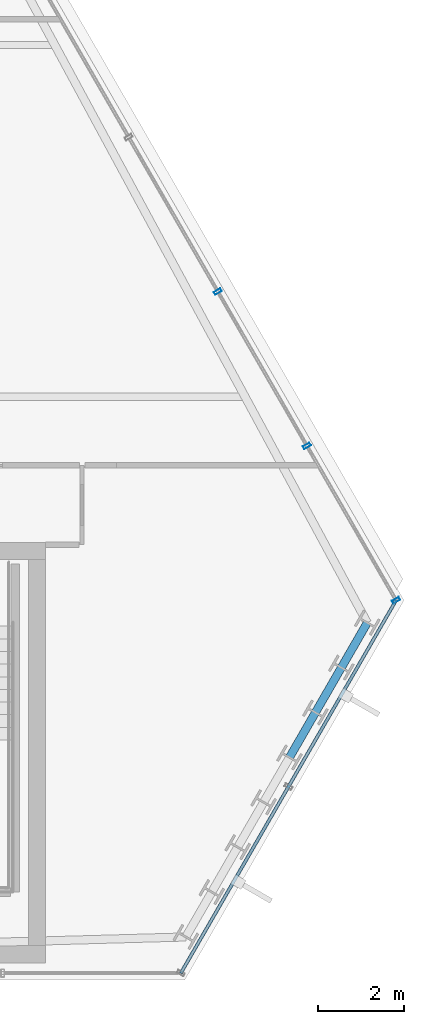
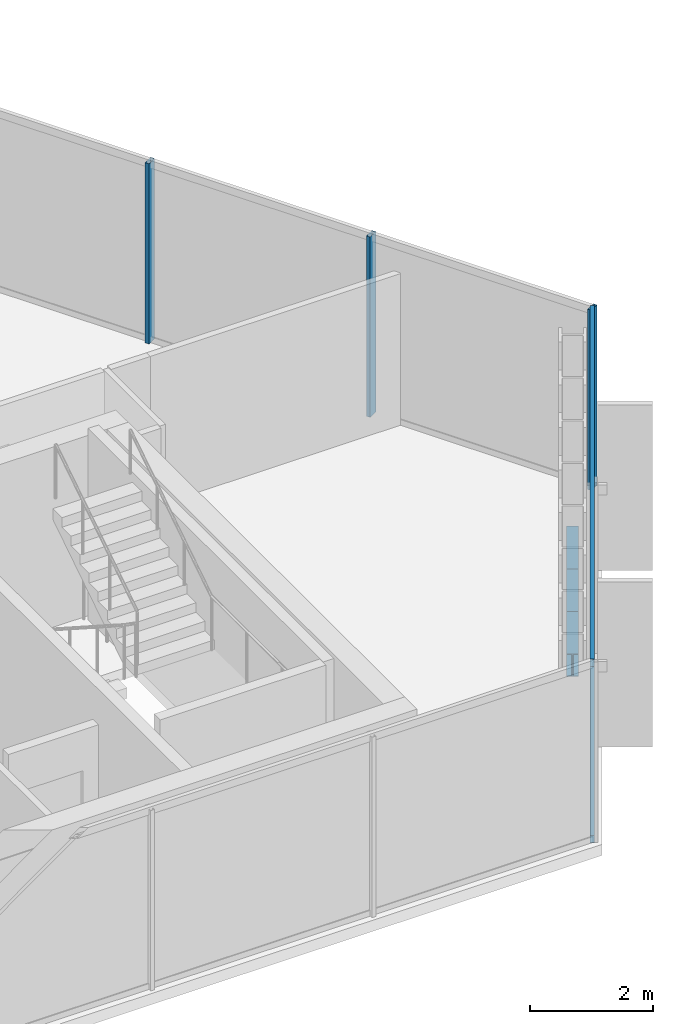
# One storey, part 16 of 35: 5 members, 3 beams, 2 elements without a shape of their own.
"""IFC4 building model written with IfcOpenShell, lengths in metres."""

from ifc_helpers import new_model, si_unit, direction, frame, origin, origin_2d, place, context, subcontext, project, spatial, hollow_rectangle, i_section, extrude, material, layer, layer_set, material_profile, profile_set, type_object, element, aggregate, save


model = new_model("IFC4")

# Units and contexts
model_context = context("Model", 3, precision=1e-05, world=origin(), true_north=direction((0.0, 1.0)))
body_context = subcontext(model_context, "Body", "Model", "MODEL_VIEW")
ifc_project = project(units=[si_unit("LENGTHUNIT", "METRE"), si_unit("AREAUNIT", "SQUARE_METRE"), si_unit("VOLUMEUNIT", "CUBIC_METRE"), si_unit("PLANEANGLEUNIT", "RADIAN"), si_unit("MASSUNIT", "GRAM", prefix="KILO")], contexts=[model_context])

# Site, building, storey
site_placement = place(None, origin())
site = spatial("IfcSite", under=ifc_project, at=site_placement, CompositionType="ELEMENT")
building_placement = place(site_placement, origin())
building = spatial("IfcBuilding", under=site, at=building_placement, Name="Ndaravel Arena Tower", CompositionType="ELEMENT")
storey_placement = place(building_placement, frame((0.0, 0.0, 172.60009765625)))
storey = spatial("IfcBuildingStorey", under=building, at=storey_placement, Name="L41", CompositionType="ELEMENT", Elevation=172.60009765625)

# Beams
ifc_material_1 = material(Name="Steel S355", Category="steel")
ifc_material_profile_1 = material_profile(ifc_material_1, i_section(OverallWidth=0.18994140625, OverallDepth=0.449951171875, WebThickness=0.009521484375, FlangeThickness=0.0146484375, FilletRadius=0.02099609375, at=origin_2d()), Name="IPE 450")
ifc_profile_set_1 = profile_set([ifc_material_profile_1], Name="Steel S355")
beam_type = type_object("IfcBeamType", Name="BM-SPAN-IPE450", PredefinedType="SPANDREL", material=ifc_profile_set_1)
for number, where, z_axis, x_axis, name in (
    (1, (63.23779296875, 10.189697265625, -0.445068359375), (0.499984757355, 0.866034203951, 0.0), (-0.866034203951, 0.499984757355, 0.0), "L41 Perimeter Spandrel Beam SP-06"),
    (2, (63.842041015625, 11.236328125, -0.445068359375), (0.499984757355, 0.866034203951, 0.0), (-0.866034203951, 0.499984757355, 0.0), "L41 Perimeter Spandrel Beam SP-07"),
    (3, (64.4462890625, 12.282958984375, -0.445068359375), (0.499984757355, 0.866034203951, 0.0), (-0.866034203951, 0.499984757355, 0.0), "L41 Perimeter Spandrel Beam SP-08"),
):
    element("IfcBeam", number, at=place(storey_placement, frame(where, z_axis=z_axis, x_axis=x_axis)), inside=storey, type_object=beam_type, Name=name, PredefinedType="SPANDREL", context=body_context, shape_type="SweptSolid", body=[
        extrude(i_section(OverallWidth=0.18994140625, OverallDepth=0.449951171875, WebThickness=0.009521484375, FlangeThickness=0.0146484375, FilletRadius=0.02099609375, at=origin_2d()), origin(), (0.0, 0.0, 1.0), 1.20849609375),
    ])

# Curtain wall, members
ifc_material_2 = material(Name="Aluminium", Category="aluminium")
ifc_layer_1 = layer(ifc_material_2, 0.179931640625)
ifc_layer_set_1 = layer_set([ifc_layer_1], Name="Aluminium")
curtain_wall_type_1 = type_object("IfcCurtainWallType", Name="CW-SYS-03", PredefinedType="NOTDEFINED", material=ifc_layer_set_1)
curtain_wall_1_placement = place(storey_placement, origin())
curtain_wall_1 = element("IfcCurtainWall", 4, at=curtain_wall_1_placement, inside=storey, type_object=curtain_wall_type_1, Name="L41 Faceted Crystal Curtain Wall CW-L41-E03", PredefinedType="NOTDEFINED")
ifc_material_3 = material(Name="Aluminium", Category="aluminium")
ifc_material_profile_2 = material_profile(ifc_material_3, hollow_rectangle(XDim=0.074951171875, YDim=0.179931640625, WallThickness=0.00390625, at=origin_2d()), Name="CW MULLION 75x180x4")
ifc_profile_set_2 = profile_set([ifc_material_profile_2], Name="Aluminium")
member_type_1 = type_object("IfcMemberType", Name="MEM-CW-MUL180", PredefinedType="MULLION", material=ifc_profile_set_2)
member_1_placement = place(storey_placement, frame((65.72216796875, 13.852783203125, 0.0), z_axis=(0.0, 0.0, 1.0), x_axis=(-0.5, 0.866025403784, 0.0)))
member_1 = element("IfcMember", 5, at=member_1_placement, type_object=member_type_1, Name="CW-L41-E03 Mullion 00", PredefinedType="MULLION", context=body_context, shape_type="SweptSolid", body=[
    extrude(hollow_rectangle(XDim=0.074951171875, YDim=0.179931640625, WallThickness=0.00390625, at=origin_2d()), origin(), (0.0, 0.0, 1.0), 3.579833984375),
])
member_2_placement = place(storey_placement, frame((63.64404296875, 17.452392578125, 0.0), z_axis=(0.0, 0.0, 1.0), x_axis=(-0.5, 0.866025403784, 0.0)))
member_2 = element("IfcMember", 6, at=member_2_placement, type_object=member_type_1, Name="CW-L41-E03 Mullion 01", PredefinedType="MULLION", context=body_context, shape_type="SweptSolid", body=[
    extrude(hollow_rectangle(XDim=0.074951171875, YDim=0.179931640625, WallThickness=0.00390625, at=origin_2d()), origin(), (0.0, 0.0, 1.0), 3.579833984375),
])
member_3_placement = place(storey_placement, frame((61.56591796875, 21.052001953125, 0.0), z_axis=(0.0, 0.0, 1.0), x_axis=(-0.5, 0.866025403784, 0.0)))
member_3 = element("IfcMember", 7, at=member_3_placement, type_object=member_type_1, Name="CW-L41-E03 Mullion 02", PredefinedType="MULLION", context=body_context, shape_type="SweptSolid", body=[
    extrude(hollow_rectangle(XDim=0.074951171875, YDim=0.179931640625, WallThickness=0.00390625, at=origin_2d()), origin(), (0.0, 0.0, 1.0), 3.579833984375),
])
aggregate(curtain_wall_1, [member_1, member_2, member_3])

ifc_material_4 = material(Name="Aluminium", Category="aluminium")
ifc_layer_2 = layer(ifc_material_4, 0.179931640625)
ifc_layer_set_2 = layer_set([ifc_layer_2], Name="Aluminium")
curtain_wall_type_2 = type_object("IfcCurtainWallType", Name="CW-SYS-01", PredefinedType="NOTDEFINED", material=ifc_layer_set_2)
curtain_wall_2_placement = place(storey_placement, origin())
curtain_wall_2 = element("IfcCurtainWall", 8, at=curtain_wall_2_placement, inside=storey, type_object=curtain_wall_type_2, Name="L41 Faceted Crystal Curtain Wall CW-L41-E02", PredefinedType="NOTDEFINED")
ifc_material_5 = material(Name="Aluminium", Category="aluminium")
ifc_material_profile_3 = material_profile(ifc_material_5, hollow_rectangle(XDim=0.074951171875, YDim=0.14990234375, WallThickness=0.00390625, at=origin_2d()), Name="CW TRANSOM 75x150x4")
ifc_profile_set_3 = profile_set([ifc_material_profile_3], Name="Aluminium")
member_type_2 = type_object("IfcMemberType", Name="MEM-CW-TRN150", PredefinedType="USERDEFINED", material=ifc_profile_set_3)
member_4_placement = place(storey_placement, frame((60.703369140625, 5.159912109375, 0.039794921875), z_axis=(0.499997561338, 0.866026811742, 0.0), x_axis=(-0.866026811742, 0.499997561338, 0.0)))
member_4 = element("IfcMember", 9, at=member_4_placement, type_object=member_type_2, Name="CW-L41-E02 Transom 01", ObjectType="TRANSOM", PredefinedType="USERDEFINED", context=body_context, shape_type="SweptSolid", body=[
    extrude(hollow_rectangle(XDim=0.074951171875, YDim=0.14990234375, WallThickness=0.00390625, at=origin_2d()), origin(), (0.0, 0.0, 1.0), 10.03759765625),
])
member_5_placement = place(storey_placement, frame((60.703369140625, 5.159912109375, 3.539794921875), z_axis=(0.499997561338, 0.866026811742, 0.0), x_axis=(-0.866026811742, 0.499997561338, 0.0)))
member_5 = element("IfcMember", 10, at=member_5_placement, type_object=member_type_2, Name="CW-L41-E02 Transom 02", ObjectType="TRANSOM", PredefinedType="USERDEFINED", context=body_context, shape_type="SweptSolid", body=[
    extrude(hollow_rectangle(XDim=0.074951171875, YDim=0.14990234375, WallThickness=0.00390625, at=origin_2d()), origin(), (0.0, 0.0, 1.0), 10.03759765625),
])
aggregate(curtain_wall_2, [member_4, member_5])

save(model, "model.ifc")
